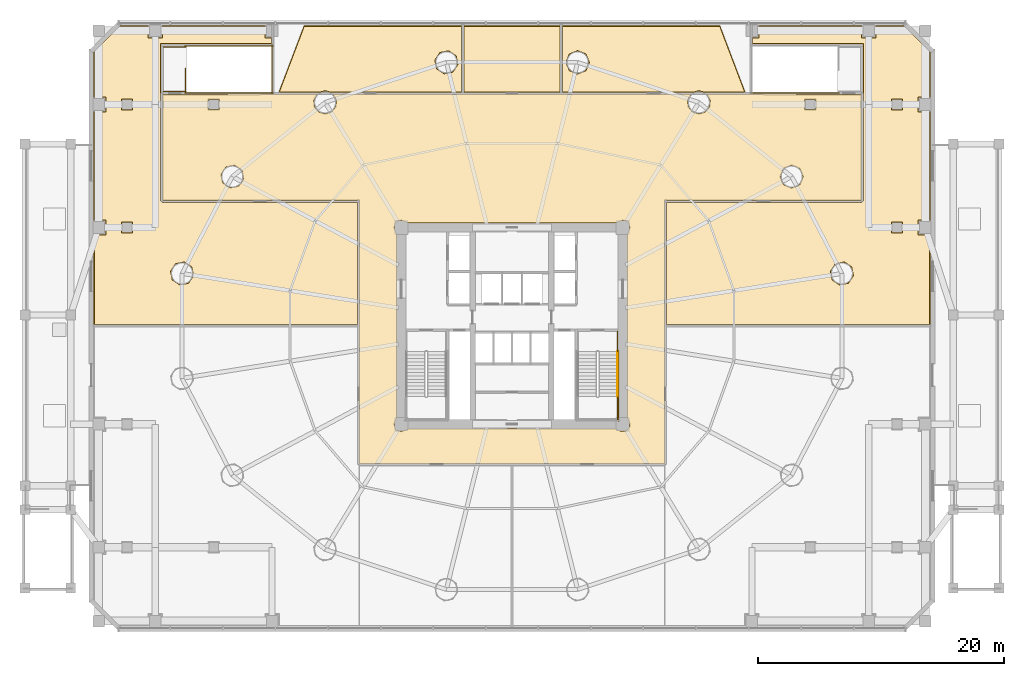
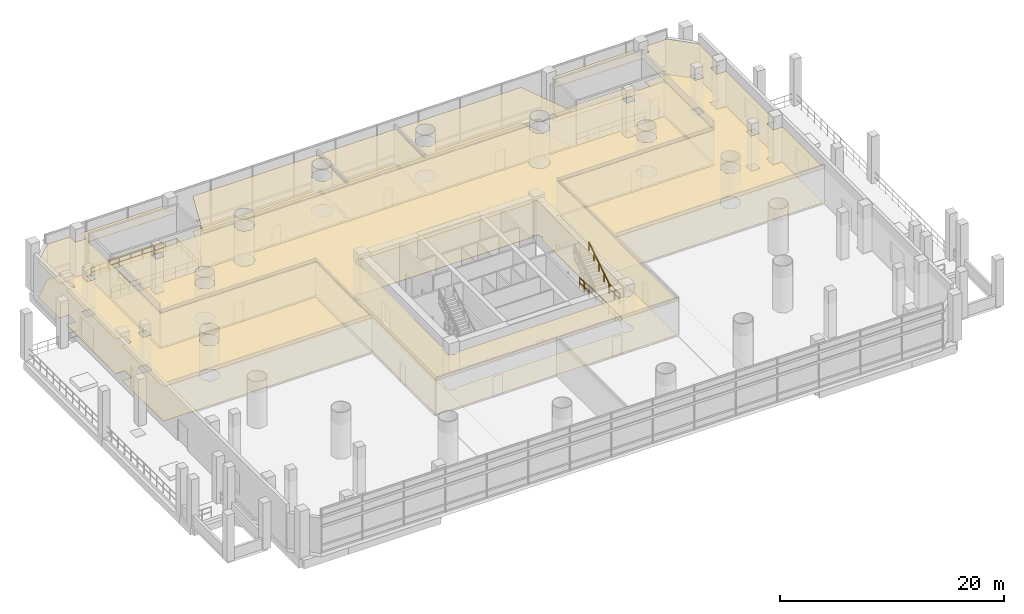
# One storey, part 30 of 31: 12 coverings, 11 railings.
"""IFC4 building model written with IfcOpenShell, lengths in metres."""

from ifc_helpers import new_model, si_unit, direction, frame, origin, origin_2d, place, context, subcontext, project, spatial, polyline, rectangle, outline, extrude, material, layer, layer_set, type_object, element, save


model = new_model("IFC4")

# Units and contexts
model_context = context("Model", 3, precision=1e-05, world=origin(), true_north=direction((-0.2419218956, 0.970295726276)))
body_context = subcontext(model_context, "Body", "Model", "MODEL_VIEW")
ifc_project = project(units=[si_unit("LENGTHUNIT", "METRE"), si_unit("AREAUNIT", "SQUARE_METRE"), si_unit("VOLUMEUNIT", "CUBIC_METRE"), si_unit("PLANEANGLEUNIT", "RADIAN"), si_unit("MASSUNIT", "GRAM", prefix="KILO")], contexts=[model_context])

# Site, building, storey
site_placement = place(None, origin())
site = spatial("IfcSite", under=ifc_project, at=site_placement, CompositionType="ELEMENT")
building_placement = place(site_placement, origin())
building = spatial("IfcBuilding", under=site, at=building_placement, Name="Cobrevalo Terracotta Tower", CompositionType="ELEMENT")
storey_placement = place(building_placement, frame((0.0, 0.0, 18.89990234375)))
storey = spatial("IfcBuildingStorey", under=building, at=storey_placement, Name="L04", CompositionType="ELEMENT", Elevation=18.89990234375)

# Coverings
ifc_material_1 = material(Name="Honed terracotta and granite tile", Category="masonry")
ifc_layer_1 = layer(ifc_material_1, 0.034912109375)
ifc_layer_set_1 = layer_set([ifc_layer_1], Name="Honed terracotta and granite tile")
covering_type_1 = type_object("IfcCoveringType", Name="Honed Terracotta & Granite Interior Flooring 35", PredefinedType="FLOORING", material=ifc_layer_set_1)
covering_1_placement = place(storey_placement, origin())
element("IfcCovering", 1, at=covering_1_placement, inside=storey, type_object=covering_type_1, Name="L04 Podium Gallery Concourse floor finish", PredefinedType="FLOORING", context=body_context, shape_type="SweptSolid", body=[
    extrude(outline(polyline([(9.6201171875, 45.580078125), (22.088134765625, 45.60009765625), (21.863525390625, 45.155029296875), (21.918212890625, 44.60009765625), (22.271728515625, 44.16943359375), (22.80517578125, 44.007568359375), (23.338623046875, 44.16943359375), (23.692138671875, 44.60009765625), (23.746826171875, 45.155029296875), (23.522216796875, 45.60009765625), (52.477783203125, 45.60009765625), (52.253173828125, 45.155029296875), (52.307861328125, 44.60009765625), (52.661376953125, 44.16943359375), (53.19482421875, 44.007568359375), (53.728271484375, 44.16943359375), (54.081787109375, 44.60009765625), (54.136474609375, 45.155029296875), (53.911865234375, 45.60009765625), (66.3798828125, 45.580078125), (66.3798828125, 37.02001953125), (50.3798828125, 37.02001953125), (50.3798828125, 15.6201171875), (25.6201171875, 15.6201171875), (25.6201171875, 37.02001953125), (9.6201171875, 37.02001953125), (9.6201171875, 45.580078125)]), holes=[polyline([(61.7900390625, 45.260009765625), (61.7900390625, 44.340087890625), (62.7099609375, 44.340087890625), (62.7099609375, 45.260009765625), (61.7900390625, 45.260009765625)]), polyline([(61.419677734375, 38.26025390625), (61.70068359375, 38.939208984375), (61.419677734375, 39.6181640625), (60.74072265625, 39.8994140625), (60.061767578125, 39.6181640625), (59.780517578125, 38.939208984375), (60.061767578125, 38.26025390625), (60.74072265625, 37.97900390625), (61.419677734375, 38.26025390625)]), polyline([(46.5322265625, 18.405029296875), (46.7626953125, 18.226806640625), (47.2373046875, 18.226806640625), (47.5732421875, 18.5625), (47.620361328125, 18.800048828125), (47.39501953125, 19.267822265625), (47.39501953125, 34.33203125), (47.620361328125, 34.800048828125), (47.438720703125, 35.23876953125), (47.0, 35.42041015625), (46.5322265625, 35.195068359375), (29.4677734375, 35.195068359375), (29.0, 35.42041015625), (28.561279296875, 35.23876953125), (28.379638671875, 34.800048828125), (28.60498046875, 34.33203125), (28.60498046875, 19.267822265625), (28.379638671875, 18.800048828125), (28.561279296875, 18.361328125), (29.0, 18.1796875), (29.4677734375, 18.405029296875), (46.5322265625, 18.405029296875)]), polyline([(15.792724609375, 38.140869140625), (16.200927734375, 38.751953125), (16.0576171875, 39.47265625), (15.446533203125, 39.880859375), (14.725830078125, 39.737548828125), (14.317626953125, 39.12646484375), (14.4609375, 38.40576171875), (15.072021484375, 37.99755859375), (15.792724609375, 38.140869140625)]), polyline([(13.2900390625, 45.260009765625), (13.2900390625, 44.340087890625), (14.2099609375, 44.340087890625), (14.2099609375, 45.260009765625), (13.2900390625, 45.260009765625)])]), origin(), (0.0, 0.0, 1.0), 0.030029296875),
])
covering_2_placement = place(storey_placement, origin())
element("IfcCovering", 2, at=covering_2_placement, inside=storey, type_object=covering_type_1, Name="L04 East Botanical Conservatory floor finish", PredefinedType="FLOORING", context=body_context, shape_type="SweptSolid", body=[
    extrude(outline(polyline([(6.078369140625, 51.159912109375), (8.39990234375, 51.159912109375), (8.39990234375, 50.199951171875), (9.60009765625, 50.199951171875), (9.60009765625, 51.159912109375), (17.89990234375, 51.159912109375), (17.89990234375, 50.199951171875), (18.449951171875, 50.199951171875), (18.449951171875, 49.739990234375), (9.429931640625, 49.739990234375), (9.427001953125, 36.947509765625), (9.5986328125, 36.820068359375), (25.419921875, 36.820068359375), (25.419921875, 26.89990234375), (4.0400390625, 26.89990234375), (4.0400390625, 34.199951171875), (5.0, 34.199951171875), (5.0, 35.39990234375), (4.0400390625, 35.39990234375), (4.0400390625, 44.199951171875), (5.0, 44.199951171875), (5.0, 45.39990234375), (4.0400390625, 45.39990234375), (4.0400390625, 49.121826171875), (6.078369140625, 51.159912109375)]), holes=[polyline([(11.708984375, 30.264404296875), (12.1171875, 30.87548828125), (11.973876953125, 31.59619140625), (11.36279296875, 32.00439453125), (10.64208984375, 31.861083984375), (10.23388671875, 31.25), (10.377197265625, 30.529296875), (10.98828125, 30.12109375), (11.708984375, 30.264404296875)]), polyline([(6.239990234375, 35.260009765625), (6.239990234375, 34.340087890625), (7.159912109375, 34.340087890625), (7.159912109375, 35.260009765625), (6.239990234375, 35.260009765625)]), polyline([(6.239990234375, 45.260009765625), (6.239990234375, 44.340087890625), (7.159912109375, 44.340087890625), (7.159912109375, 45.260009765625), (6.239990234375, 45.260009765625)])]), origin(), (0.0, 0.0, 1.0), 0.030029296875),
])
covering_3_placement = place(storey_placement, origin())
element("IfcCovering", 3, at=covering_3_placement, inside=storey, type_object=covering_type_1, Name="L04 Residents Club Lounge floor finish", PredefinedType="FLOORING", context=body_context, shape_type="SweptSolid", body=[
    extrude(outline(polyline([(50.580078125, 26.89990234375), (50.580078125, 36.820068359375), (66.40185546875, 36.820068359375), (66.572998046875, 36.947509765625), (66.570068359375, 49.739990234375), (57.550048828125, 49.739990234375), (57.550048828125, 50.199951171875), (58.10009765625, 50.199951171875), (58.10009765625, 51.159912109375), (66.39990234375, 51.159912109375), (66.39990234375, 50.199951171875), (67.60009765625, 50.199951171875), (67.60009765625, 51.159912109375), (69.921630859375, 51.159912109375), (71.9599609375, 49.121826171875), (71.9599609375, 45.39990234375), (71.0, 45.39990234375), (71.0, 44.199951171875), (71.9599609375, 44.199951171875), (71.9599609375, 35.39990234375), (71.0, 35.39990234375), (71.0, 34.199951171875), (71.9599609375, 34.199951171875), (71.9599609375, 26.89990234375), (50.580078125, 26.89990234375)]), holes=[polyline([(68.840087890625, 34.340087890625), (69.760009765625, 34.340087890625), (69.760009765625, 35.260009765625), (68.840087890625, 35.260009765625), (68.840087890625, 34.340087890625)]), polyline([(68.840087890625, 45.260009765625), (68.840087890625, 44.340087890625), (69.760009765625, 44.340087890625), (69.760009765625, 45.260009765625), (68.840087890625, 45.260009765625)]), polyline([(65.35791015625, 30.264404296875), (65.76611328125, 30.87548828125), (65.622802734375, 31.59619140625), (65.01171875, 32.00439453125), (64.291015625, 31.861083984375), (63.8828125, 31.25), (64.026123046875, 30.529296875), (64.63720703125, 30.12109375), (65.35791015625, 30.264404296875)])]), origin(), (0.0, 0.0, 1.0), 0.030029296875),
])
covering_4_placement = place(storey_placement, origin())
element("IfcCovering", 4, at=covering_4_placement, inside=storey, type_object=covering_type_1, Name="L04 Public Restrooms floor finish", PredefinedType="FLOORING", context=body_context, shape_type="SweptSolid", body=[
    extrude(outline(polyline([(33.89990234375, 45.800048828125), (23.274658203125, 45.800048828125), (22.80517578125, 45.927734375), (22.33544921875, 45.800048828125), (19.0791015625, 45.800048828125), (21.11376953125, 51.159912109375), (33.89990234375, 51.159912109375), (33.89990234375, 45.800048828125)]), holes=[polyline([(33.19775390625, 47.431884765625), (33.60595703125, 48.04296875), (33.462646484375, 48.763671875), (32.8515625, 49.171875), (32.130859375, 49.028564453125), (31.72265625, 48.41748046875), (31.865966796875, 47.69677734375), (32.47705078125, 47.28857421875), (33.19775390625, 47.431884765625)])]), origin(), (0.0, 0.0, 1.0), 0.030029296875),
])
covering_5_placement = place(storey_placement, origin())
element("IfcCovering", 5, at=covering_5_placement, inside=storey, type_object=covering_type_1, Name="L04 Accessible Restroom WC floor finish", PredefinedType="FLOORING", context=body_context, shape_type="SweptSolid", body=[
    extrude(outline(polyline([(41.89990234375, 45.800048828125), (34.10009765625, 45.800048828125), (34.10009765625, 51.159912109375), (41.89990234375, 51.159912109375), (41.89990234375, 45.800048828125)])), origin(), (0.0, 0.0, 1.0), 0.030029296875),
])
covering_6_placement = place(storey_placement, origin())
element("IfcCovering", 6, at=covering_6_placement, inside=storey, type_object=covering_type_1, Name="L04 Podium Housekeeping Store floor finish", PredefinedType="FLOORING", context=body_context, shape_type="SweptSolid", body=[
    extrude(outline(polyline([(56.9208984375, 45.800048828125), (53.66455078125, 45.800048828125), (53.19482421875, 45.927734375), (52.725341796875, 45.800048828125), (42.10009765625, 45.800048828125), (42.10009765625, 51.159912109375), (54.88623046875, 51.159912109375), (56.9208984375, 45.800048828125)]), holes=[polyline([(44.0146484375, 47.55126953125), (44.2958984375, 48.230224609375), (44.0146484375, 48.908935546875), (43.335693359375, 49.190185546875), (42.65673828125, 48.908935546875), (42.375732421875, 48.230224609375), (42.65673828125, 47.55126953125), (43.335693359375, 47.27001953125), (44.0146484375, 47.55126953125)])]), origin(), (0.0, 0.0, 1.0), 0.030029296875),
])
ifc_material_2 = material(Name="Moisture-resistant mineral fibre ceiling", Category="gypsum")
ifc_layer_2 = layer(ifc_material_2, 0.0400390625)
ifc_layer_set_2 = layer_set([ifc_layer_2], Name="Moisture-resistant mineral fibre ceiling")
covering_type_2 = type_object("IfcCoveringType", Name="Moisture-Resistant Wet-Room Ceiling 40", PredefinedType="CEILING", material=ifc_layer_set_2)
covering_7_placement = place(storey_placement, frame((0.0, 0.0, 3.780029296875)))
element("IfcCovering", 7, at=covering_7_placement, inside=storey, type_object=covering_type_2, Name="L04 Public Restrooms acoustic ceiling", PredefinedType="CEILING", context=body_context, shape_type="SweptSolid", body=[
    extrude(outline(polyline([(33.945068359375, 45.7548828125), (23.263427734375, 45.7548828125), (22.80517578125, 45.882568359375), (22.346923828125, 45.7548828125), (19.013671875, 45.7548828125), (21.082763671875, 51.205078125), (33.945068359375, 51.205078125), (33.945068359375, 45.7548828125)]), holes=[polyline([(33.172607421875, 47.469482421875), (33.5615234375, 48.0517578125), (33.425048828125, 48.738525390625), (32.8427734375, 49.12744140625), (32.156005859375, 48.990966796875), (31.76708984375, 48.40869140625), (31.903564453125, 47.721923828125), (32.48583984375, 47.332763671875), (33.172607421875, 47.469482421875)])]), origin(), (0.0, 0.0, 1.0), 0.050048828125),
])
covering_8_placement = place(storey_placement, frame((0.0, 0.0, 3.780029296875)))
element("IfcCovering", 8, at=covering_8_placement, inside=storey, type_object=covering_type_2, Name="L04 Accessible Restroom WC acoustic ceiling", PredefinedType="CEILING", context=body_context, shape_type="SweptSolid", body=[
    extrude(outline(polyline([(41.945068359375, 45.7548828125), (34.054931640625, 45.7548828125), (34.054931640625, 51.205078125), (41.945068359375, 51.205078125), (41.945068359375, 45.7548828125)])), origin(), (0.0, 0.0, 1.0), 0.050048828125),
])
ifc_material_3 = material(Name="Acoustic perforated gypsum ceiling", Category="gypsum")
ifc_layer_3 = layer(ifc_material_3, 0.050048828125)
ifc_layer_set_3 = layer_set([ifc_layer_3], Name="Acoustic perforated gypsum ceiling")
covering_type_3 = type_object("IfcCoveringType", Name="Perforated Acoustic Gypsum Ceiling 50", PredefinedType="CEILING", material=ifc_layer_set_3)
covering_9_placement = place(storey_placement, frame((0.0, 0.0, 3.780029296875)))
element("IfcCovering", 9, at=covering_9_placement, inside=storey, type_object=covering_type_3, Name="L04 Podium Gallery Concourse acoustic ceiling", PredefinedType="CEILING", context=body_context, shape_type="SweptSolid", body=[
    extrude(outline(polyline([(9.574951171875, 45.625), (22.183349609375, 45.64501953125), (21.907958984375, 45.14599609375), (21.9599609375, 44.617431640625), (22.296875, 44.20703125), (22.80517578125, 44.052734375), (23.3134765625, 44.20703125), (23.650390625, 44.617431640625), (23.702392578125, 45.14599609375), (23.427001953125, 45.64501953125), (52.572998046875, 45.64501953125), (52.297607421875, 45.14599609375), (52.349609375, 44.617431640625), (52.6865234375, 44.20703125), (53.19482421875, 44.052734375), (53.703125, 44.20703125), (54.0400390625, 44.617431640625), (54.092041015625, 45.14599609375), (53.816650390625, 45.64501953125), (66.425048828125, 45.625), (66.425048828125, 36.97509765625), (50.425048828125, 36.97509765625), (50.425048828125, 15.574951171875), (25.574951171875, 15.574951171875), (25.574951171875, 36.97509765625), (9.574951171875, 36.97509765625), (9.574951171875, 45.625)]), holes=[polyline([(61.8349609375, 45.215087890625), (61.8349609375, 44.385009765625), (62.6650390625, 44.385009765625), (62.6650390625, 45.215087890625), (61.8349609375, 45.215087890625)]), polyline([(61.3876953125, 38.292236328125), (61.655517578125, 38.939208984375), (61.3876953125, 39.586181640625), (60.74072265625, 39.85400390625), (60.09375, 39.586181640625), (59.825927734375, 38.939208984375), (60.09375, 38.292236328125), (60.74072265625, 38.0244140625), (61.3876953125, 38.292236328125)]), polyline([(46.55615234375, 18.449951171875), (46.780029296875, 18.269287109375), (47.219970703125, 18.269287109375), (47.53076171875, 18.580078125), (47.574462890625, 18.800048828125), (47.35009765625, 19.243896484375), (47.35009765625, 34.356201171875), (47.574462890625, 34.800048828125), (47.40625, 35.206298828125), (47.0, 35.37451171875), (46.55615234375, 35.14990234375), (29.44384765625, 35.14990234375), (29.0, 35.37451171875), (28.59375, 35.206298828125), (28.425537109375, 34.800048828125), (28.64990234375, 34.356201171875), (28.64990234375, 19.243896484375), (28.425537109375, 18.800048828125), (28.59375, 18.393798828125), (29.0, 18.2255859375), (29.44384765625, 18.449951171875), (46.55615234375, 18.449951171875)]), polyline([(15.767578125, 38.178466796875), (16.156494140625, 38.7607421875), (16.02001953125, 39.447509765625), (15.437744140625, 39.83642578125), (14.7509765625, 39.699951171875), (14.362060546875, 39.11767578125), (14.49853515625, 38.430908203125), (15.080810546875, 38.0419921875), (15.767578125, 38.178466796875)]), polyline([(13.3349609375, 45.215087890625), (13.3349609375, 44.385009765625), (14.1650390625, 44.385009765625), (14.1650390625, 45.215087890625), (13.3349609375, 45.215087890625)])]), origin(), (0.0, 0.0, 1.0), 0.050048828125),
])
covering_10_placement = place(storey_placement, frame((0.0, 0.0, 3.780029296875)))
element("IfcCovering", 10, at=covering_10_placement, inside=storey, type_object=covering_type_3, Name="L04 East Botanical Conservatory acoustic ceiling", PredefinedType="CEILING", context=body_context, shape_type="SweptSolid", body=[
    extrude(outline(polyline([(6.0595703125, 51.205078125), (8.445068359375, 51.205078125), (8.445068359375, 50.2451171875), (9.554931640625, 50.2451171875), (9.554931640625, 51.205078125), (17.945068359375, 51.205078125), (17.945068359375, 50.2451171875), (18.4951171875, 50.2451171875), (18.4951171875, 49.695068359375), (9.47509765625, 49.695068359375), (9.471923828125, 36.961181640625), (9.601806640625, 36.864990234375), (25.465087890625, 36.864990234375), (25.465087890625, 26.85498046875), (3.9951171875, 26.85498046875), (3.9951171875, 34.2451171875), (4.955078125, 34.2451171875), (4.955078125, 35.35498046875), (3.9951171875, 35.35498046875), (3.9951171875, 44.2451171875), (4.955078125, 44.2451171875), (4.955078125, 45.35498046875), (3.9951171875, 45.35498046875), (3.9951171875, 49.140380859375), (6.0595703125, 51.205078125)]), holes=[polyline([(11.683837890625, 30.302001953125), (12.07275390625, 30.88427734375), (11.936279296875, 31.571044921875), (11.35400390625, 31.9599609375), (10.667236328125, 31.823486328125), (10.2783203125, 31.2412109375), (10.414794921875, 30.554443359375), (10.9970703125, 30.16552734375), (11.683837890625, 30.302001953125)]), polyline([(6.284912109375, 35.215087890625), (6.284912109375, 34.385009765625), (7.114990234375, 34.385009765625), (7.114990234375, 35.215087890625), (6.284912109375, 35.215087890625)]), polyline([(6.284912109375, 45.215087890625), (6.284912109375, 44.385009765625), (7.114990234375, 44.385009765625), (7.114990234375, 45.215087890625), (6.284912109375, 45.215087890625)])]), origin(), (0.0, 0.0, 1.0), 0.050048828125),
])
covering_11_placement = place(storey_placement, frame((0.0, 0.0, 3.780029296875)))
element("IfcCovering", 11, at=covering_11_placement, inside=storey, type_object=covering_type_3, Name="L04 Residents Club Lounge acoustic ceiling", PredefinedType="CEILING", context=body_context, shape_type="SweptSolid", body=[
    extrude(outline(polyline([(50.534912109375, 26.85498046875), (50.534912109375, 36.864990234375), (66.3974609375, 36.864990234375), (66.528076171875, 36.961181640625), (66.52490234375, 49.695068359375), (57.5048828125, 49.695068359375), (57.5048828125, 50.2451171875), (58.054931640625, 50.2451171875), (58.054931640625, 51.205078125), (66.445068359375, 51.205078125), (66.445068359375, 50.2451171875), (67.554931640625, 50.2451171875), (67.554931640625, 51.205078125), (69.9404296875, 51.205078125), (72.0048828125, 49.140380859375), (72.0048828125, 45.35498046875), (71.044921875, 45.35498046875), (71.044921875, 44.2451171875), (72.0048828125, 44.2451171875), (72.0048828125, 35.35498046875), (71.044921875, 35.35498046875), (71.044921875, 34.2451171875), (72.0048828125, 34.2451171875), (72.0048828125, 26.85498046875), (50.534912109375, 26.85498046875)]), holes=[polyline([(68.885009765625, 34.385009765625), (69.715087890625, 34.385009765625), (69.715087890625, 35.215087890625), (68.885009765625, 35.215087890625), (68.885009765625, 34.385009765625)]), polyline([(68.885009765625, 45.215087890625), (68.885009765625, 44.385009765625), (69.715087890625, 44.385009765625), (69.715087890625, 45.215087890625), (68.885009765625, 45.215087890625)]), polyline([(65.332763671875, 30.302001953125), (65.7216796875, 30.88427734375), (65.585205078125, 31.571044921875), (65.0029296875, 31.9599609375), (64.316162109375, 31.823486328125), (63.92724609375, 31.2412109375), (64.063720703125, 30.554443359375), (64.64599609375, 30.16552734375), (65.332763671875, 30.302001953125)])]), origin(), (0.0, 0.0, 1.0), 0.050048828125),
])
covering_12_placement = place(storey_placement, frame((0.0, 0.0, 3.780029296875)))
element("IfcCovering", 12, at=covering_12_placement, inside=storey, type_object=covering_type_3, Name="L04 Podium Housekeeping Store acoustic ceiling", PredefinedType="CEILING", context=body_context, shape_type="SweptSolid", body=[
    extrude(outline(polyline([(56.986328125, 45.7548828125), (53.653076171875, 45.7548828125), (53.19482421875, 45.882568359375), (52.736572265625, 45.7548828125), (42.054931640625, 45.7548828125), (42.054931640625, 51.205078125), (54.917236328125, 51.205078125), (56.986328125, 45.7548828125)]), holes=[polyline([(43.982666015625, 47.583251953125), (44.25048828125, 48.230224609375), (43.982666015625, 48.877197265625), (43.335693359375, 49.14501953125), (42.688720703125, 48.877197265625), (42.4208984375, 48.230224609375), (42.688720703125, 47.583251953125), (43.335693359375, 47.315185546875), (43.982666015625, 47.583251953125)])]), origin(), (0.0, 0.0, 1.0), 0.050048828125),
])

# Railings
ifc_material_4 = material(Name="Brushed stainless steel", Category="steel")
railing_type_1 = type_object("IfcRailingType", Name="Stainless Steel Stair Handrail 900", PredefinedType="HANDRAIL", material=ifc_material_4)
railing_1_placement = place(storey_placement, frame((46.574951171875, 21.06005859375, 2.732177734375)))
element("IfcRailing", 13, at=railing_1_placement, inside=storey, type_object=railing_type_1, Name="L04 ST-2 stair handrail 2", PredefinedType="HANDRAIL", context=body_context, shape_type="SweptSolid", body=[
    extrude(rectangle(XDim=0.048095703125, YDim=0.048095703125, at=origin_2d()), frame((0.0, 0.0, 0.8759765625), z_axis=(0.0, 0.838234174257, 0.545310433706), x_axis=(-1.0, 0.0, 0.0)), (0.0, 0.0, 1.0), 4.34228515625),
    extrude(rectangle(XDim=0.0419921875, YDim=0.0419921875, at=origin_2d()), origin(), (0.0, 0.0, 1.0), 0.851806640625),
    extrude(rectangle(XDim=0.0419921875, YDim=0.0419921875, at=origin_2d()), frame((0.0, 0.909912109375, 0.592041015625)), (0.0, 0.0, 1.0), 0.851806640625),
    extrude(rectangle(XDim=0.0419921875, YDim=0.0419921875, at=origin_2d()), frame((0.0, 1.81982421875, 1.18408203125)), (0.0, 0.0, 1.0), 0.851806640625),
    extrude(rectangle(XDim=0.0419921875, YDim=0.0419921875, at=origin_2d()), frame((0.0, 2.72998046875, 1.77587890625)), (0.0, 0.0, 1.0), 0.851806640625),
    extrude(rectangle(XDim=0.0419921875, YDim=0.0419921875, at=origin_2d()), frame((0.0, 3.639892578125, 2.367919921875)), (0.0, 0.0, 1.0), 0.851806640625),
])
ifc_material_5 = material(Name="Painted galvanized steel", Category="steel")
railing_type_2 = type_object("IfcRailingType", Name="Stair Well Guard Balustrade 1150", PredefinedType="GUARDRAIL", material=ifc_material_5)
railing_2_placement = place(storey_placement, frame((46.574951171875, 21.06005859375, 2.550048828125)))
element("IfcRailing", 14, at=railing_2_placement, inside=storey, type_object=railing_type_2, Name="L04 ST-2 stair guard 4", PredefinedType="GUARDRAIL", context=body_context, shape_type="SweptSolid", body=[
    extrude(rectangle(XDim=0.048095703125, YDim=0.048095703125, at=origin_2d()), frame((0.0, 0.0, 1.1259765625), z_axis=(0.0, -1.0, 0.0), x_axis=(1.0, 0.0, 0.0)), (0.0, 0.0, 1.0), 1.885009765625),
    extrude(rectangle(XDim=0.048095703125, YDim=0.048095703125, at=origin_2d()), frame((0.0, 0.0, 0.574951171875), z_axis=(0.0, -1.0, 0.0), x_axis=(1.0, 0.0, 0.0)), (0.0, 0.0, 1.0), 1.885009765625),
    extrude(rectangle(XDim=0.0419921875, YDim=0.0419921875, at=origin_2d()), origin(), (0.0, 0.0, 1.0), 1.101806640625),
    extrude(rectangle(XDim=0.0419921875, YDim=0.0419921875, at=origin_2d()), frame((0.0, -0.9423828125, 0.0)), (0.0, 0.0, 1.0), 1.101806640625),
    extrude(rectangle(XDim=0.0419921875, YDim=0.0419921875, at=origin_2d()), frame((0.0, -1.885009765625, 0.0)), (0.0, 0.0, 1.0), 1.101806640625),
])
railing_3_placement = place(storey_placement, frame((46.574951171875, 26.35009765625, 0.0)))
element("IfcRailing", 15, at=railing_3_placement, inside=storey, type_object=railing_type_2, Name="L04 ST-2 stair guard 9", PredefinedType="GUARDRAIL", context=body_context, shape_type="SweptSolid", body=[
    extrude(rectangle(XDim=0.048095703125, YDim=0.048095703125, at=origin_2d()), frame((0.0, 0.0, 1.1259765625), z_axis=(0.0, -1.0, 0.0), x_axis=(1.0, 0.0, 0.0)), (0.0, 0.0, 1.0), 1.650146484375),
    extrude(rectangle(XDim=0.048095703125, YDim=0.048095703125, at=origin_2d()), frame((0.0, 0.0, 0.574951171875), z_axis=(0.0, -1.0, 0.0), x_axis=(1.0, 0.0, 0.0)), (0.0, 0.0, 1.0), 1.650146484375),
    extrude(rectangle(XDim=0.0419921875, YDim=0.0419921875, at=origin_2d()), origin(), (0.0, 0.0, 1.0), 1.101806640625),
    extrude(rectangle(XDim=0.0419921875, YDim=0.0419921875, at=origin_2d()), frame((0.0, -0.8251953125, 0.0)), (0.0, 0.0, 1.0), 1.101806640625),
    extrude(rectangle(XDim=0.0419921875, YDim=0.0419921875, at=origin_2d()), frame((0.0, -1.650146484375, 0.0)), (0.0, 0.0, 1.0), 1.101806640625),
])
railing_4_placement = place(storey_placement, frame((46.675048828125, 24.800048828125, 0.0)))
element("IfcRailing", 16, at=railing_4_placement, inside=storey, type_object=railing_type_2, Name="L04 ST-2 stair guard 11", PredefinedType="GUARDRAIL", context=body_context, shape_type="SweptSolid", body=[
    extrude(rectangle(XDim=0.048095703125, YDim=0.048095703125, at=origin_2d()), frame((0.0, 0.0, 1.1259765625), z_axis=(0.0, -1.0, 0.0), x_axis=(1.0, 0.0, 0.0)), (0.0, 0.0, 1.0), 5.72509765625),
    extrude(rectangle(XDim=0.048095703125, YDim=0.048095703125, at=origin_2d()), frame((0.0, 0.0, 0.574951171875), z_axis=(0.0, -1.0, 0.0), x_axis=(1.0, 0.0, 0.0)), (0.0, 0.0, 1.0), 5.72509765625),
    extrude(rectangle(XDim=0.0419921875, YDim=0.0419921875, at=origin_2d()), origin(), (0.0, 0.0, 1.0), 1.101806640625),
    extrude(rectangle(XDim=0.0419921875, YDim=0.0419921875, at=origin_2d()), frame((0.0, -1.14501953125, 0.0)), (0.0, 0.0, 1.0), 1.101806640625),
    extrude(rectangle(XDim=0.0419921875, YDim=0.0419921875, at=origin_2d()), frame((0.0, -2.2900390625, 0.0)), (0.0, 0.0, 1.0), 1.101806640625),
    extrude(rectangle(XDim=0.0419921875, YDim=0.0419921875, at=origin_2d()), frame((0.0, -3.43505859375, 0.0)), (0.0, 0.0, 1.0), 1.101806640625),
    extrude(rectangle(XDim=0.0419921875, YDim=0.0419921875, at=origin_2d()), frame((0.0, -4.580078125, 0.0)), (0.0, 0.0, 1.0), 1.101806640625),
    extrude(rectangle(XDim=0.0419921875, YDim=0.0419921875, at=origin_2d()), frame((0.0, -5.72509765625, 0.0)), (0.0, 0.0, 1.0), 1.101806640625),
])
railing_5_placement = place(storey_placement, frame((11.449951171875, 45.800048828125, 0.0)))
element("IfcRailing", 17, at=railing_5_placement, inside=storey, type_object=railing_type_2, Name="L04 ST-P1 top well guard 1", PredefinedType="GUARDRAIL", context=body_context, shape_type="SweptSolid", body=[
    extrude(rectangle(XDim=0.048095703125, YDim=0.048095703125, at=origin_2d()), frame((0.0, 0.0, 1.1259765625), z_axis=(0.0, 1.0, 0.0), x_axis=(-1.0, 0.0, 0.0)), (0.0, 0.0, 1.0), 1.919921875),
    extrude(rectangle(XDim=0.048095703125, YDim=0.048095703125, at=origin_2d()), frame((0.0, 0.0, 0.574951171875), z_axis=(0.0, 1.0, 0.0), x_axis=(-1.0, 0.0, 0.0)), (0.0, 0.0, 1.0), 1.919921875),
    extrude(rectangle(XDim=0.0419921875, YDim=0.0419921875, at=origin_2d()), origin(), (0.0, 0.0, 1.0), 1.101806640625),
    extrude(rectangle(XDim=0.0419921875, YDim=0.0419921875, at=origin_2d()), frame((0.0, 0.9599609375, 0.0)), (0.0, 0.0, 1.0), 1.101806640625),
    extrude(rectangle(XDim=0.0419921875, YDim=0.0419921875, at=origin_2d()), frame((0.0, 1.919921875, 0.0)), (0.0, 0.0, 1.0), 1.101806640625),
])
for number, where, name in (
    (18, (11.39990234375, 45.75, 0.0), "L04 ST-P1 top well guard 2"),
    (19, (11.39990234375, 49.570068359375, 0.0), "L04 ST-P1 top well guard 3"),
):
    element("IfcRailing", number, at=place(storey_placement, frame(where)), inside=storey, type_object=railing_type_2, Name=name, PredefinedType="GUARDRAIL", context=body_context, shape_type="SweptSolid", body=[
        extrude(rectangle(XDim=0.048095703125, YDim=0.048095703125, at=origin_2d()), frame((0.0, 0.0, 1.1259765625), z_axis=(1.0, 0.0, 0.0), x_axis=(0.0, 1.0, 0.0)), (0.0, 0.0, 1.0), 7.150146484375),
        extrude(rectangle(XDim=0.048095703125, YDim=0.048095703125, at=origin_2d()), frame((0.0, 0.0, 0.574951171875), z_axis=(1.0, 0.0, 0.0), x_axis=(0.0, 1.0, 0.0)), (0.0, 0.0, 1.0), 7.150146484375),
        extrude(rectangle(XDim=0.0419921875, YDim=0.0419921875, at=origin_2d()), origin(), (0.0, 0.0, 1.0), 1.101806640625),
        extrude(rectangle(XDim=0.0419921875, YDim=0.0419921875, at=origin_2d()), frame((1.191650390625, 0.0, 0.0)), (0.0, 0.0, 1.0), 1.101806640625),
        extrude(rectangle(XDim=0.0419921875, YDim=0.0419921875, at=origin_2d()), frame((2.38330078125, 0.0, 0.0)), (0.0, 0.0, 1.0), 1.101806640625),
        extrude(rectangle(XDim=0.0419921875, YDim=0.0419921875, at=origin_2d()), frame((3.5751953125, 0.0, 0.0)), (0.0, 0.0, 1.0), 1.101806640625),
        extrude(rectangle(XDim=0.0419921875, YDim=0.0419921875, at=origin_2d()), frame((4.766845703125, 0.0, 0.0)), (0.0, 0.0, 1.0), 1.101806640625),
        extrude(rectangle(XDim=0.0419921875, YDim=0.0419921875, at=origin_2d()), frame((5.95849609375, 0.0, 0.0)), (0.0, 0.0, 1.0), 1.101806640625),
        extrude(rectangle(XDim=0.0419921875, YDim=0.0419921875, at=origin_2d()), frame((7.150146484375, 0.0, 0.0)), (0.0, 0.0, 1.0), 1.101806640625),
    ])
railing_6_placement = place(storey_placement, frame((18.5, 45.699951171875, 0.0)))
element("IfcRailing", 20, at=railing_6_placement, inside=storey, type_object=railing_type_2, Name="L04 ST-P1 top well guard 4", PredefinedType="GUARDRAIL", context=body_context, shape_type="SweptSolid", body=[
    extrude(rectangle(XDim=0.048095703125, YDim=0.048095703125, at=origin_2d()), frame((0.0, 0.0, 1.1259765625), z_axis=(0.0, 1.0, 0.0), x_axis=(-1.0, 0.0, 0.0)), (0.0, 0.0, 1.0), 3.920166015625),
    extrude(rectangle(XDim=0.048095703125, YDim=0.048095703125, at=origin_2d()), frame((0.0, 0.0, 0.574951171875), z_axis=(0.0, 1.0, 0.0), x_axis=(-1.0, 0.0, 0.0)), (0.0, 0.0, 1.0), 3.920166015625),
    extrude(rectangle(XDim=0.0419921875, YDim=0.0419921875, at=origin_2d()), origin(), (0.0, 0.0, 1.0), 1.101806640625),
    extrude(rectangle(XDim=0.0419921875, YDim=0.0419921875, at=origin_2d()), frame((0.0, 0.97998046875, 0.0)), (0.0, 0.0, 1.0), 1.101806640625),
    extrude(rectangle(XDim=0.0419921875, YDim=0.0419921875, at=origin_2d()), frame((0.0, 1.9599609375, 0.0)), (0.0, 0.0, 1.0), 1.101806640625),
    extrude(rectangle(XDim=0.0419921875, YDim=0.0419921875, at=origin_2d()), frame((0.0, 2.940185546875, 0.0)), (0.0, 0.0, 1.0), 1.101806640625),
    extrude(rectangle(XDim=0.0419921875, YDim=0.0419921875, at=origin_2d()), frame((0.0, 3.920166015625, 0.0)), (0.0, 0.0, 1.0), 1.101806640625),
])
for number, where, name in (
    (21, (9.64990234375, 45.85009765625, 0.0), "L04 ST-P1 top well guard 5"),
    (22, (9.64990234375, 49.469970703125, 0.0), "L04 ST-P1 top well guard 6"),
):
    element("IfcRailing", number, at=place(storey_placement, frame(where)), inside=storey, type_object=railing_type_2, Name=name, PredefinedType="GUARDRAIL", context=body_context, shape_type="SweptSolid", body=[
        extrude(rectangle(XDim=0.048095703125, YDim=0.048095703125, at=origin_2d()), frame((0.0, 0.0, 1.1259765625), z_axis=(1.0, 0.0, 0.0), x_axis=(0.0, 1.0, 0.0)), (0.0, 0.0, 1.0), 1.85009765625),
        extrude(rectangle(XDim=0.048095703125, YDim=0.048095703125, at=origin_2d()), frame((0.0, 0.0, 0.574951171875), z_axis=(1.0, 0.0, 0.0), x_axis=(0.0, 1.0, 0.0)), (0.0, 0.0, 1.0), 1.85009765625),
        extrude(rectangle(XDim=0.0419921875, YDim=0.0419921875, at=origin_2d()), origin(), (0.0, 0.0, 1.0), 1.101806640625),
        extrude(rectangle(XDim=0.0419921875, YDim=0.0419921875, at=origin_2d()), frame((0.925048828125, 0.0, 0.0)), (0.0, 0.0, 1.0), 1.101806640625),
        extrude(rectangle(XDim=0.0419921875, YDim=0.0419921875, at=origin_2d()), frame((1.85009765625, 0.0, 0.0)), (0.0, 0.0, 1.0), 1.101806640625),
    ])
railing_7_placement = place(storey_placement, frame((64.60009765625, 45.75, 0.0)))
element("IfcRailing", 23, at=railing_7_placement, inside=storey, type_object=railing_type_2, Name="L04 ST-P2 top well guard 3", PredefinedType="GUARDRAIL", context=body_context, shape_type="SweptSolid", body=[
    extrude(rectangle(XDim=0.048095703125, YDim=0.048095703125, at=origin_2d()), frame((0.0, 0.0, 1.1259765625), z_axis=(-1.0, 0.0, 0.0), x_axis=(0.0, -1.0, 0.0)), (0.0, 0.0, 1.0), 7.150146484375),
    extrude(rectangle(XDim=0.048095703125, YDim=0.048095703125, at=origin_2d()), frame((0.0, 0.0, 0.574951171875), z_axis=(-1.0, 0.0, 0.0), x_axis=(0.0, -1.0, 0.0)), (0.0, 0.0, 1.0), 7.150146484375),
    extrude(rectangle(XDim=0.0419921875, YDim=0.0419921875, at=origin_2d()), origin(), (0.0, 0.0, 1.0), 1.101806640625),
    extrude(rectangle(XDim=0.0419921875, YDim=0.0419921875, at=origin_2d()), frame((-1.191650390625, 0.0, 0.0)), (0.0, 0.0, 1.0), 1.101806640625),
    extrude(rectangle(XDim=0.0419921875, YDim=0.0419921875, at=origin_2d()), frame((-2.38330078125, 0.0, 0.0)), (0.0, 0.0, 1.0), 1.101806640625),
    extrude(rectangle(XDim=0.0419921875, YDim=0.0419921875, at=origin_2d()), frame((-3.5751953125, 0.0, 0.0)), (0.0, 0.0, 1.0), 1.101806640625),
    extrude(rectangle(XDim=0.0419921875, YDim=0.0419921875, at=origin_2d()), frame((-4.766845703125, 0.0, 0.0)), (0.0, 0.0, 1.0), 1.101806640625),
    extrude(rectangle(XDim=0.0419921875, YDim=0.0419921875, at=origin_2d()), frame((-5.95849609375, 0.0, 0.0)), (0.0, 0.0, 1.0), 1.101806640625),
    extrude(rectangle(XDim=0.0419921875, YDim=0.0419921875, at=origin_2d()), frame((-7.150146484375, 0.0, 0.0)), (0.0, 0.0, 1.0), 1.101806640625),
])

save(model, "model.ifc")
